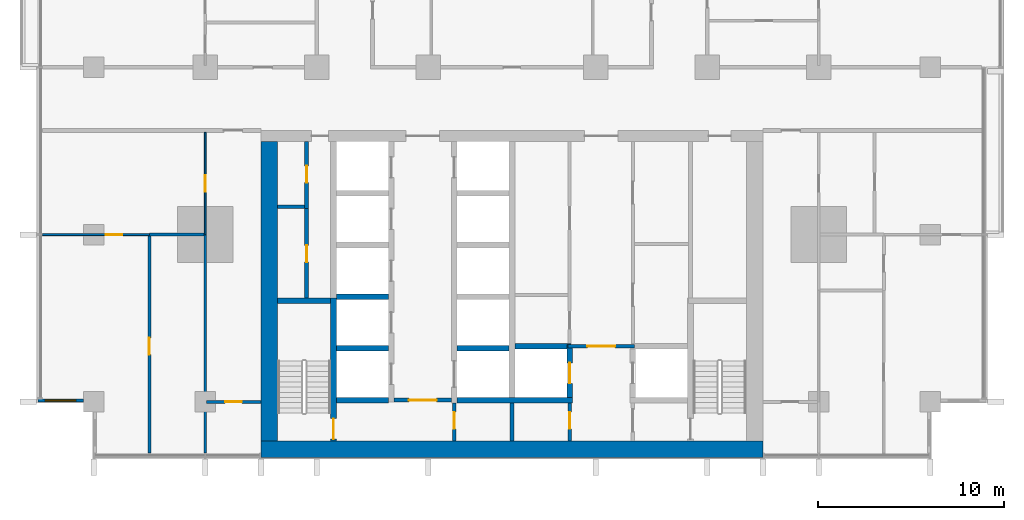
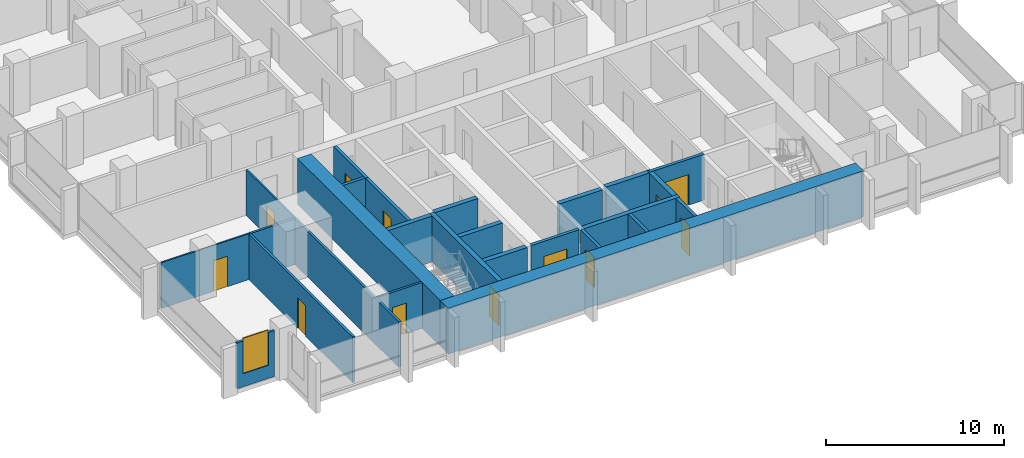
# One storey, part 7 of 18: 26 walls, 12 doors, 1 window, 13 openings.
"""IFC4 building model written with IfcOpenShell, lengths in metres."""

from ifc_helpers import new_model, si_unit, direction, frame, frame_2d, origin, place, context, subcontext, project, spatial, rectangle, extrude, material, layer, layer_set, type_object, element, fill, save


model = new_model("IFC4")

# Units and contexts
model_context = context("Model", 3, precision=1e-05, world=origin(), true_north=direction((0.0, 1.0)))
body_context = subcontext(model_context, "Body", "Model", "MODEL_VIEW")
ifc_project = project(units=[si_unit("LENGTHUNIT", "METRE"), si_unit("AREAUNIT", "SQUARE_METRE"), si_unit("VOLUMEUNIT", "CUBIC_METRE"), si_unit("PLANEANGLEUNIT", "RADIAN"), si_unit("MASSUNIT", "GRAM", prefix="KILO")], contexts=[model_context])

# Site, building, storey
site_placement = place(None, origin())
site = spatial("IfcSite", under=ifc_project, at=site_placement, CompositionType="ELEMENT")
building_placement = place(site_placement, origin())
building = spatial("IfcBuilding", under=site, at=building_placement, Name="Finial Court Residences", CompositionType="ELEMENT")
storey_placement = place(building_placement, frame((0.0, 0.0, 72.10009765625)))
storey = spatial("IfcBuildingStorey", under=building, at=storey_placement, Name="L17", CompositionType="ELEMENT", Elevation=72.10009765625)

# Walls
ifc_material_1 = material(Name="Concrete C80/95", Category="concrete")
ifc_layer_1 = layer(ifc_material_1, 0.89990234375)
ifc_layer_set_1 = layer_set([ifc_layer_1], Name="Core outer wall 900 Concrete C80/95")
wall_type_1 = type_object("IfcWallType", Name="Core outer wall 900 Concrete C80/95", PredefinedType="SHEAR", material=ifc_layer_set_1)
wall_1_placement = place(storey_placement, frame((-13.050048828125, -24.60009765625, 0.0), z_axis=(0.0, 0.0, 1.0), x_axis=(0.0, 1.0, 0.0)))
element("IfcWall", 1, at=wall_1_placement, inside=storey, type_object=wall_type_1, Name="Core outer wall L17-03", PredefinedType="SHEAR", context=body_context, shape_type="SweptSolid", body=[
    extrude(rectangle(XDim=16.10009765625, YDim=0.89990234375, at=frame_2d((8.050048828125, 0.0))), origin(), (0.0, 0.0, 1.0), 3.14990234375),
])
ifc_layer_2 = layer(ifc_material_1, 0.89990234375)
ifc_layer_set_2 = layer_set([ifc_layer_2], Name="Core south facade wall 900 Concrete C80/95")
wall_type_2 = type_object("IfcWallType", Name="Core south facade wall 900 Concrete C80/95", PredefinedType="SHEAR", material=ifc_layer_set_2)
wall_2_placement = place(storey_placement, frame((-13.5, -25.050048828125, 0.0), z_axis=(0.0, 0.0, 1.0), x_axis=(1.0, 0.0, 0.0)))
element("IfcWall", 2, at=wall_2_placement, inside=storey, type_object=wall_type_2, Name="Core outer wall L17-01", PredefinedType="SHEAR", context=body_context, shape_type="SweptSolid", body=[
    extrude(rectangle(XDim=27.0, YDim=0.89990234375, at=frame_2d((13.5, 0.0))), origin(), (0.0, 0.0, 1.0), 3.14990234375),
])

# Wall, opening, door
ifc_material_2 = material(Name="Fire-rated gypsum board partition")
ifc_layer_3 = layer(ifc_material_2, 0.199951171875)
ifc_layer_set_3 = layer_set([ifc_layer_3], Name="Firefighting lobby wall 200 EI 120")
wall_type_3 = type_object("IfcWallType", Name="Firefighting lobby wall 200 EI 120", PredefinedType="PARTITIONING", material=ifc_layer_set_3)
wall_3_placement = place(storey_placement, frame((6.574951171875, -19.5, 0.0), z_axis=(0.0, 0.0, 1.0), x_axis=(-1.0, 0.0, 0.0)))
wall_3 = element("IfcWall", 3, at=wall_3_placement, inside=storey, type_object=wall_type_3, Name="Core partition L17-08", PredefinedType="PARTITIONING", context=body_context, shape_type="SweptSolid", body=[
    extrude(rectangle(XDim=3.550048828125, YDim=0.199951171875, at=frame_2d((1.77490234375, 0.0))), origin(), (0.0, 0.0, 1.0), 3.14990234375),
])
opening_1_placement = place(wall_3_placement, frame((1.02490234375, 0.0, 0.0)))
opening_1 = element("IfcOpeningElement", 4, at=opening_1_placement, cuts=wall_3, Name="Opening L17-C02", PredefinedType="OPENING", context=body_context, shape_type="SweptSolid", body=[
    extrude(rectangle(XDim=1.5, YDim=2.10009765625, at=frame_2d((0.75, 1.050048828125))), frame((0.0, 0.10986328125, 0.0), z_axis=(0.0, -1.0, 0.0), x_axis=(1.0, 0.0, 0.0)), (0.0, 0.0, 1.0), 0.219970703125),
])
ifc_material_3 = material(Name="Steel fire door", Category="steel")
door_type_1 = type_object("IfcDoorType", Name="Firefighting lobby door 1500 x 2100 EI 90", OperationType="DOUBLE_DOOR_SINGLE_SWING", PredefinedType="DOOR", material=ifc_material_3)
door_1_placement = place(opening_1_placement, origin())
door_1 = element("IfcDoor", 5, at=door_1_placement, inside=storey, type_object=door_type_1, Name="Firefighting lobby door L17-C02", OperationType="DOUBLE_DOOR_SINGLE_SWING", OverallHeight=2.10009765625, OverallWidth=1.5, PredefinedType="DOOR", context=body_context, shape_type="SweptSolid", body=[
    extrude(rectangle(XDim=1.5, YDim=2.10009765625, at=frame_2d((0.75, 1.050048828125))), frame((0.0, 0.02490234375, 0.0), z_axis=(0.0, -1.0, 0.0), x_axis=(1.0, 0.0, 0.0)), (0.0, 0.0, 1.0), 0.050048828125),
])
fill(opening_1, door_1)

wall_4_placement = place(storey_placement, frame((3.10009765625, -24.60009765625, 0.0), z_axis=(0.0, 0.0, 1.0), x_axis=(0.0, 1.0, 0.0)))
wall_4 = element("IfcWall", 6, at=wall_4_placement, inside=storey, type_object=wall_type_3, Name="Core partition L17-30", PredefinedType="PARTITIONING", context=body_context, shape_type="SweptSolid", body=[
    extrude(rectangle(XDim=2.050048828125, YDim=0.199951171875, at=frame_2d((1.02490234375, 0.0))), origin(), (0.0, 0.0, 1.0), 3.14990234375),
])
opening_2_placement = place(wall_4_placement, frame((0.64990234375, 0.0, 0.0)))
opening_2 = element("IfcOpeningElement", 7, at=opening_2_placement, cuts=wall_4, Name="Opening L17-C06", PredefinedType="OPENING", context=body_context, shape_type="SweptSolid", body=[
    extrude(rectangle(XDim=0.89990234375, YDim=2.10009765625, at=frame_2d((0.449951171875, 1.050048828125))), frame((0.0, 0.10986328125, 0.0), z_axis=(0.0, -1.0, 0.0), x_axis=(1.0, 0.0, 0.0)), (0.0, 0.0, 1.0), 0.219970703125),
])
door_type_2 = type_object("IfcDoorType", Name="Riser room door 900 x 2100 EI 90", OperationType="NOTDEFINED", PredefinedType="DOOR", material=ifc_material_3)
door_2_placement = place(opening_2_placement, origin())
door_2 = element("IfcDoor", 8, at=door_2_placement, inside=storey, type_object=door_type_2, Name="Riser room door L17-C06", OperationType="SINGLE_SWING_LEFT", OverallHeight=2.10009765625, OverallWidth=0.89990234375, PredefinedType="DOOR", context=body_context, shape_type="SweptSolid", body=[
    extrude(rectangle(XDim=0.89990234375, YDim=2.10009765625, at=frame_2d((0.449951171875, 1.050048828125))), frame((0.0, 0.02490234375, 0.0), z_axis=(0.0, -1.0, 0.0), x_axis=(1.0, 0.0, 0.0)), (0.0, 0.0, 1.0), 0.050048828125),
])
fill(opening_2, door_2)

ifc_material_4 = material(Name="Gypsum board")
ifc_layer_4 = layer(ifc_material_4, 0.012451171875)
ifc_material_5 = material(Name="Mineral wool in light-gauge frame")
ifc_layer_5 = layer(ifc_material_5, 0.074951171875)
ifc_layer_6 = layer(ifc_material_4, 0.012451171875)
ifc_layer_set_4 = layer_set([ifc_layer_4, ifc_layer_5, ifc_layer_6], Name="Gypsum board partition 100")
wall_type_4 = type_object("IfcWallType", Name="Gypsum board partition 100", PredefinedType="PARTITIONING", material=ifc_layer_set_4)
wall_5_placement = place(storey_placement, frame((-25.25, -13.5, 0.0), z_axis=(0.0, 0.0, 1.0), x_axis=(1.0, 0.0, 0.0)))
wall_5 = element("IfcWall", 9, at=wall_5_placement, inside=storey, type_object=wall_type_4, Name="Partition L17-003", PredefinedType="PARTITIONING", context=body_context, shape_type="SweptSolid", body=[
    extrude(rectangle(XDim=5.75, YDim=0.10009765625, at=frame_2d((2.875, 0.0))), origin(), (0.0, 0.0, 1.0), 3.14990234375),
])
opening_3_placement = place(wall_5_placement, frame((3.39990234375, 0.0, 0.0)))
opening_3 = element("IfcOpeningElement", 10, at=opening_3_placement, cuts=wall_5, Name="Opening L17-D003", PredefinedType="OPENING", context=body_context, shape_type="SweptSolid", body=[
    extrude(rectangle(XDim=0.89990234375, YDim=2.10009765625, at=frame_2d((0.449951171875, 1.050048828125))), frame((0.0, 0.06005859375, 0.0), z_axis=(0.0, -1.0, 0.0), x_axis=(1.0, 0.0, 0.0)), (0.0, 0.0, 1.0), 0.1201171875),
])
ifc_material_6 = material(Name="Timber door leaf in timber frame", Category="wood")
door_type_3 = type_object("IfcDoorType", Name="Door set 900 x 2100", OperationType="SINGLE_SWING_LEFT", PredefinedType="DOOR", material=ifc_material_6)
door_3_placement = place(opening_3_placement, origin())
door_3 = element("IfcDoor", 11, at=door_3_placement, inside=storey, type_object=door_type_3, Name="Door L17-D003", OperationType="SINGLE_SWING_RIGHT", OverallHeight=2.10009765625, OverallWidth=0.89990234375, PredefinedType="DOOR", context=body_context, shape_type="SweptSolid", body=[
    extrude(rectangle(XDim=0.89990234375, YDim=2.10009765625, at=frame_2d((0.449951171875, 1.050048828125))), frame((0.0, 0.02490234375, 0.0), z_axis=(0.0, -1.0, 0.0), x_axis=(1.0, 0.0, 0.0)), (0.0, 0.0, 1.0), 0.050048828125),
])
fill(opening_3, door_3)

wall_6_placement = place(storey_placement, frame((-16.5, -13.5, 0.0), z_axis=(0.0, 0.0, 1.0), x_axis=(0.0, 1.0, 0.0)))
wall_6 = element("IfcWall", 12, at=wall_6_placement, inside=storey, type_object=wall_type_4, Name="Partition L17-057", PredefinedType="PARTITIONING", context=body_context, shape_type="SweptSolid", body=[
    extrude(rectangle(XDim=5.5, YDim=0.10009765625, at=frame_2d((2.75, 0.0))), origin(), (0.0, 0.0, 1.0), 3.14990234375),
])
opening_4_placement = place(wall_6_placement, frame((2.300048828125, 0.0, 0.0)))
opening_4 = element("IfcOpeningElement", 13, at=opening_4_placement, cuts=wall_6, Name="Opening L17-D034", PredefinedType="OPENING", context=body_context, shape_type="SweptSolid", body=[
    extrude(rectangle(XDim=0.89990234375, YDim=2.10009765625, at=frame_2d((0.449951171875, 1.050048828125))), frame((0.0, 0.06005859375, 0.0), z_axis=(0.0, -1.0, 0.0), x_axis=(1.0, 0.0, 0.0)), (0.0, 0.0, 1.0), 0.1201171875),
])
door_4_placement = place(opening_4_placement, origin())
door_4 = element("IfcDoor", 14, at=door_4_placement, inside=storey, type_object=door_type_3, Name="Door L17-D034", OperationType="SINGLE_SWING_RIGHT", OverallHeight=2.10009765625, OverallWidth=0.89990234375, PredefinedType="DOOR", context=body_context, shape_type="SweptSolid", body=[
    extrude(rectangle(XDim=0.89990234375, YDim=2.10009765625, at=frame_2d((0.449951171875, 1.050048828125))), frame((0.0, 0.02490234375, 0.0), z_axis=(0.0, -1.0, 0.0), x_axis=(1.0, 0.0, 0.0)), (0.0, 0.0, 1.0), 0.050048828125),
])
fill(opening_4, door_4)

ifc_material_7 = material(Name="Moisture-resistant gypsum board")
ifc_layer_7 = layer(ifc_material_7, 0.012451171875)
ifc_layer_8 = layer(ifc_material_5, 0.125)
ifc_layer_9 = layer(ifc_material_7, 0.012451171875)
ifc_layer_set_5 = layer_set([ifc_layer_7, ifc_layer_8, ifc_layer_9], Name="Gypsum board wet-area partition 150")
wall_type_5 = type_object("IfcWallType", Name="Gypsum board wet-area partition 150", PredefinedType="PARTITIONING", material=ifc_layer_set_5)
wall_7_placement = place(storey_placement, frame((-16.425048828125, -22.5, 0.0), z_axis=(0.0, 0.0, 1.0), x_axis=(1.0, 0.0, 0.0)))
wall_7 = element("IfcWall", 15, at=wall_7_placement, inside=storey, type_object=wall_type_5, Name="Partition L17-000", PredefinedType="PARTITIONING", context=body_context, shape_type="SweptSolid", body=[
    extrude(rectangle(XDim=2.925048828125, YDim=0.14990234375, at=frame_2d((1.46240234375, 0.0))), origin(), (0.0, 0.0, 1.0), 3.14990234375),
])
opening_5_placement = place(wall_7_placement, frame((1.0, 0.0, 0.0)))
opening_5 = element("IfcOpeningElement", 16, at=opening_5_placement, cuts=wall_7, Name="Opening L17-D001", PredefinedType="OPENING", context=body_context, shape_type="SweptSolid", body=[
    extrude(rectangle(XDim=0.89990234375, YDim=2.10009765625, at=frame_2d((0.449951171875, 1.050048828125))), frame((0.0, 0.0849609375, 0.0), z_axis=(0.0, -1.0, 0.0), x_axis=(1.0, 0.0, 0.0)), (0.0, 0.0, 1.0), 0.169921875),
])
door_5_placement = place(opening_5_placement, origin())
door_5 = element("IfcDoor", 17, at=door_5_placement, inside=storey, type_object=door_type_3, Name="Door L17-D001", OperationType="SINGLE_SWING_RIGHT", OverallHeight=2.10009765625, OverallWidth=0.89990234375, PredefinedType="DOOR", context=body_context, shape_type="SweptSolid", body=[
    extrude(rectangle(XDim=0.89990234375, YDim=2.10009765625, at=frame_2d((0.449951171875, 1.050048828125))), frame((0.0, 0.02490234375, 0.0), z_axis=(0.0, -1.0, 0.0), x_axis=(1.0, 0.0, 0.0)), (0.0, 0.0, 1.0), 0.050048828125),
])
fill(opening_5, door_5)

# Wall
wall_8_placement = place(storey_placement, frame((-19.5, -13.5, 0.0), z_axis=(0.0, 0.0, 1.0), x_axis=(1.0, 0.0, 0.0)))
element("IfcWall", 18, at=wall_8_placement, inside=storey, type_object=wall_type_5, Name="Partition L17-005", PredefinedType="PARTITIONING", context=body_context, shape_type="SweptSolid", body=[
    extrude(rectangle(XDim=2.925048828125, YDim=0.14990234375, at=frame_2d((1.46240234375, 0.0))), origin(), (0.0, 0.0, 1.0), 3.14990234375),
])

# Wall, opening, door
wall_9_placement = place(storey_placement, frame((-19.5, -25.25, 0.0), z_axis=(0.0, 0.0, 1.0), x_axis=(0.0, 1.0, 0.0)))
wall_9 = element("IfcWall", 19, at=wall_9_placement, inside=storey, type_object=wall_type_5, Name="Partition L17-055", PredefinedType="PARTITIONING", context=body_context, shape_type="SweptSolid", body=[
    extrude(rectangle(XDim=11.675048828125, YDim=0.14990234375, at=frame_2d((5.83740234375, 0.0))), origin(), (0.0, 0.0, 1.0), 3.14990234375),
])
opening_6_placement = place(wall_9_placement, frame((5.300048828125, 0.0, 0.0)))
opening_6 = element("IfcOpeningElement", 20, at=opening_6_placement, cuts=wall_9, Name="Opening L17-D032", PredefinedType="OPENING", context=body_context, shape_type="SweptSolid", body=[
    extrude(rectangle(XDim=0.89990234375, YDim=2.10009765625, at=frame_2d((0.449951171875, 1.050048828125))), frame((0.0, 0.0849609375, 0.0), z_axis=(0.0, -1.0, 0.0), x_axis=(1.0, 0.0, 0.0)), (0.0, 0.0, 1.0), 0.169921875),
])
door_6_placement = place(opening_6_placement, origin())
door_6 = element("IfcDoor", 21, at=door_6_placement, inside=storey, type_object=door_type_3, Name="Door L17-D032", OperationType="SINGLE_SWING_LEFT", OverallHeight=2.10009765625, OverallWidth=0.89990234375, PredefinedType="DOOR", context=body_context, shape_type="SweptSolid", body=[
    extrude(rectangle(XDim=0.89990234375, YDim=2.10009765625, at=frame_2d((0.449951171875, 1.050048828125))), frame((0.0, 0.02490234375, 0.0), z_axis=(0.0, -1.0, 0.0), x_axis=(1.0, 0.0, 0.0)), (0.0, 0.0, 1.0), 0.050048828125),
])
fill(opening_6, door_6)

# Walls
wall_10_placement = place(storey_placement, frame((-16.5, -25.25, 0.0), z_axis=(0.0, 0.0, 1.0), x_axis=(0.0, 1.0, 0.0)))
element("IfcWall", 22, at=wall_10_placement, inside=storey, type_object=wall_type_5, Name="Partition L17-063", PredefinedType="PARTITIONING", context=body_context, shape_type="SweptSolid", body=[
    extrude(rectangle(XDim=11.75, YDim=0.14990234375, at=frame_2d((5.875, 0.0))), origin(), (0.0, 0.0, 1.0), 3.14990234375),
])
ifc_layer_10 = layer(ifc_material_1, 0.300048828125)
ifc_layer_set_6 = layer_set([ifc_layer_10], Name="Lift shaft and stair wall 300 Concrete C80/95")
wall_type_6 = type_object("IfcWallType", Name="Lift shaft and stair wall 300 Concrete C80/95", PredefinedType="SHEAR", material=ifc_layer_set_6)
wall_11_placement = place(storey_placement, frame((-9.449951171875, -22.39990234375, 0.0), z_axis=(0.0, 0.0, 1.0), x_axis=(1.0, 0.0, 0.0)))
element("IfcWall", 23, at=wall_11_placement, inside=storey, type_object=wall_type_6, Name="Core wall L17-01", PredefinedType="SHEAR", context=body_context, shape_type="SweptSolid", body=[
    extrude(rectangle(XDim=2.800048828125, YDim=0.300048828125, at=frame_2d((1.39990234375, 0.0))), origin(), (0.0, 0.0, 1.0), 3.14990234375),
])
wall_12_placement = place(storey_placement, frame((-2.949951171875, -22.39990234375, 0.0), z_axis=(0.0, 0.0, 1.0), x_axis=(1.0, 0.0, 0.0)))
element("IfcWall", 24, at=wall_12_placement, inside=storey, type_object=wall_type_6, Name="Core wall L17-03", PredefinedType="SHEAR", context=body_context, shape_type="SweptSolid", body=[
    extrude(rectangle(XDim=6.199951171875, YDim=0.300048828125, at=frame_2d((3.10009765625, 0.0))), origin(), (0.0, 0.0, 1.0), 3.14990234375),
])
for number, where, z_axis, x_axis, name in (
    (25, (-9.449951171875, -19.6201171875, 0.0), (0.0, 0.0, 1.0), (1.0, 0.0, 0.0), "Core wall L17-05"),
    (26, (-2.949951171875, -19.6201171875, 0.0), (0.0, 0.0, 1.0), (1.0, 0.0, 0.0), "Core wall L17-06"),
):
    element("IfcWall", number, at=place(storey_placement, frame(where, z_axis=z_axis, x_axis=x_axis)), inside=storey, type_object=wall_type_6, Name=name, PredefinedType="SHEAR", context=body_context, shape_type="SweptSolid", body=[
        extrude(rectangle(XDim=2.800048828125, YDim=0.300048828125, at=frame_2d((1.39990234375, 0.0))), origin(), (0.0, 0.0, 1.0), 3.14990234375),
    ])
wall_13_placement = place(storey_placement, frame((0.14990234375, -19.5, 0.0), z_axis=(0.0, 0.0, 1.0), x_axis=(1.0, 0.0, 0.0)))
element("IfcWall", 27, at=wall_13_placement, inside=storey, type_object=wall_type_6, Name="Core wall L17-07", PredefinedType="SHEAR", context=body_context, shape_type="SweptSolid", body=[
    extrude(rectangle(XDim=3.025146484375, YDim=0.300048828125, at=frame_2d((1.5126953125, 0.0))), origin(), (0.0, 0.0, 1.0), 3.14990234375),
])
wall_14_placement = place(storey_placement, frame((-12.60009765625, -17.050048828125, 0.0), z_axis=(0.0, 0.0, 1.0), x_axis=(1.0, 0.0, 0.0)))
element("IfcWall", 28, at=wall_14_placement, inside=storey, type_object=wall_type_6, Name="Core wall L17-10", PredefinedType="SHEAR", context=body_context, shape_type="SweptSolid", body=[
    extrude(rectangle(XDim=2.85009765625, YDim=0.300048828125, at=frame_2d((1.425048828125, 0.0))), origin(), (0.0, 0.0, 1.0), 3.14990234375),
])
wall_15_placement = place(storey_placement, frame((-9.449951171875, -16.840087890625, 0.0), z_axis=(0.0, 0.0, 1.0), x_axis=(1.0, 0.0, 0.0)))
element("IfcWall", 29, at=wall_15_placement, inside=storey, type_object=wall_type_6, Name="Core wall L17-12", PredefinedType="SHEAR", context=body_context, shape_type="SweptSolid", body=[
    extrude(rectangle(XDim=2.800048828125, YDim=0.300048828125, at=frame_2d((1.39990234375, 0.0))), origin(), (0.0, 0.0, 1.0), 3.14990234375),
])

# Wall, opening, door
wall_16_placement = place(storey_placement, frame((-9.60009765625, -24.60009765625, 0.0), z_axis=(0.0, 0.0, 1.0), x_axis=(0.0, 1.0, 0.0)))
wall_16 = element("IfcWall", 30, at=wall_16_placement, inside=storey, type_object=wall_type_6, Name="Core wall L17-23", PredefinedType="SHEAR", context=body_context, shape_type="SweptSolid", body=[
    extrude(rectangle(XDim=7.7001953125, YDim=0.300048828125, at=frame_2d((3.85009765625, 0.0))), origin(), (0.0, 0.0, 1.0), 3.14990234375),
])
opening_7_placement = place(wall_16_placement, frame((0.10009765625, 0.0, 0.0)))
opening_7 = element("IfcOpeningElement", 31, at=opening_7_placement, cuts=wall_16, Name="Opening L17-C16", PredefinedType="OPENING", context=body_context, shape_type="SweptSolid", body=[
    extrude(rectangle(XDim=1.10009765625, YDim=2.10009765625, at=frame_2d((0.550048828125, 1.050048828125))), frame((0.0, 0.159912109375, 0.0), z_axis=(0.0, -1.0, 0.0), x_axis=(1.0, 0.0, 0.0)), (0.0, 0.0, 1.0), 0.320068359375),
])
door_type_4 = type_object("IfcDoorType", Name="Stair door 1100 x 2100 EI 90", OperationType="NOTDEFINED", PredefinedType="DOOR", material=ifc_material_3)
door_7_placement = place(opening_7_placement, origin())
door_7 = element("IfcDoor", 32, at=door_7_placement, inside=storey, type_object=door_type_4, Name="Stair door L17-C16", OperationType="SINGLE_SWING_LEFT", OverallHeight=2.10009765625, OverallWidth=1.10009765625, PredefinedType="DOOR", context=body_context, shape_type="SweptSolid", body=[
    extrude(rectangle(XDim=1.10009765625, YDim=2.10009765625, at=frame_2d((0.550048828125, 1.050048828125))), frame((0.0, 0.02490234375, 0.0), z_axis=(0.0, -1.0, 0.0), x_axis=(1.0, 0.0, 0.0)), (0.0, 0.0, 1.0), 0.050048828125),
])
fill(opening_7, door_7)

wall_17_placement = place(storey_placement, frame((3.10009765625, -22.25, 0.0), z_axis=(0.0, 0.0, 1.0), x_axis=(0.0, 1.0, 0.0)))
wall_17 = element("IfcWall", 33, at=wall_17_placement, inside=storey, type_object=wall_type_6, Name="Core wall L17-31", PredefinedType="SHEAR", context=body_context, shape_type="SweptSolid", body=[
    extrude(rectangle(XDim=2.85009765625, YDim=0.300048828125, at=frame_2d((1.425048828125, 0.0))), origin(), (0.0, 0.0, 1.0), 3.14990234375),
])
opening_8_placement = place(wall_17_placement, frame((0.75, 0.0, 0.0)))
opening_8 = element("IfcOpeningElement", 34, at=opening_8_placement, cuts=wall_17, Name="Opening L17-LD01", PredefinedType="OPENING", context=body_context, shape_type="SweptSolid", body=[
    extrude(rectangle(XDim=1.10009765625, YDim=2.10009765625, at=frame_2d((0.550048828125, 1.050048828125))), frame((0.0, 0.159912109375, 0.0), z_axis=(0.0, -1.0, 0.0), x_axis=(1.0, 0.0, 0.0)), (0.0, 0.0, 1.0), 0.320068359375),
])
ifc_material_8 = material(Name="Stainless steel lift door", Category="steel")
door_type_5 = type_object("IfcDoorType", Name="Lift landing door 1100 x 2100 EI 90", OperationType="DOUBLE_DOOR_SLIDING", PredefinedType="DOOR", material=ifc_material_8)
door_8_placement = place(opening_8_placement, origin())
door_8 = element("IfcDoor", 35, at=door_8_placement, inside=storey, type_object=door_type_5, Name="Lift landing door FF1 L17", OperationType="DOUBLE_DOOR_SLIDING", OverallHeight=2.10009765625, OverallWidth=1.10009765625, PredefinedType="DOOR", context=body_context, shape_type="SweptSolid", body=[
    extrude(rectangle(XDim=1.10009765625, YDim=2.10009765625, at=frame_2d((0.550048828125, 1.050048828125))), frame((0.0, 0.02490234375, 0.0), z_axis=(0.0, -1.0, 0.0), x_axis=(1.0, 0.0, 0.0)), (0.0, 0.0, 1.0), 0.050048828125),
])
fill(opening_8, door_8)

# Wall, opening, window
ifc_material_9 = material(Name="Natural limestone", Category="masonry")
ifc_layer_11 = layer(ifc_material_9, 0.14990234375)
ifc_layer_set_7 = layer_set([ifc_layer_11], Name="Limestone clad wall 150")
wall_type_7 = type_object("IfcWallType", Name="Limestone clad wall 150", PredefinedType="SOLIDWALL", material=ifc_layer_set_7)
wall_18_placement = place(storey_placement, frame((-23.050048828125, -22.425048828125, 0.0), z_axis=(0.0, 0.0, 1.0), x_axis=(-1.0, 0.0, 0.0)))
wall_18 = element("IfcWall", 36, at=wall_18_placement, inside=storey, type_object=wall_type_7, Name="E-L17-NWS13", PredefinedType="SOLIDWALL", context=body_context, shape_type="SweptSolid", body=[
    extrude(rectangle(XDim=2.449951171875, YDim=0.14990234375, at=frame_2d((1.22509765625, 0.0))), origin(), (0.0, 0.0, 1.0), 3.14990234375),
])
opening_9_placement = place(wall_18_placement, frame((0.39990234375, 0.0, 0.89990234375)))
opening_9 = element("IfcOpeningElement", 37, at=opening_9_placement, cuts=wall_18, Name="Opening WE17-02", PredefinedType="OPENING", context=body_context, shape_type="SweptSolid", body=[
    extrude(rectangle(XDim=1.64990234375, YDim=2.39990234375, at=frame_2d((0.824951171875, 1.199951171875))), frame((0.0, 0.0849609375, 0.0), z_axis=(0.0, -1.0, 0.0), x_axis=(1.0, 0.0, 0.0)), (0.0, 0.0, 1.0), 0.169921875),
])
ifc_material_10 = material(Name="Clear low-e glass", Category="glass")
window_type = type_object("IfcWindowType", Name="Corner window 1650 x 2400", PartitioningType="SINGLE_PANEL", PredefinedType="WINDOW", material=ifc_material_10)
window_placement = place(opening_9_placement, origin())
window = element("IfcWindow", 38, at=window_placement, inside=storey, type_object=window_type, Name="E-L17-NWS13-W1", OverallHeight=2.39990234375, OverallWidth=1.64990234375, PartitioningType="SINGLE_PANEL", PredefinedType="WINDOW", context=body_context, shape_type="SweptSolid", body=[
    extrude(rectangle(XDim=1.64990234375, YDim=2.39990234375, at=frame_2d((0.824951171875, 1.199951171875))), frame((0.0, 0.030029296875, 0.0), z_axis=(0.0, -1.0, 0.0), x_axis=(1.0, 0.0, 0.0)), (0.0, 0.0, 1.0), 0.06005859375),
])
fill(opening_9, window)

# Wall
ifc_layer_12 = layer(ifc_material_2, 0.199951171875)
ifc_layer_set_8 = layer_set([ifc_layer_12], Name="Riser room wall 200 EI 120")
wall_type_8 = type_object("IfcWallType", Name="Riser room wall 200 EI 120", PredefinedType="PARTITIONING", material=ifc_layer_set_8)
wall_19_placement = place(storey_placement, frame((-12.60009765625, -12.0, 0.0), z_axis=(0.0, 0.0, 1.0), x_axis=(1.0, 0.0, 0.0)))
element("IfcWall", 39, at=wall_19_placement, inside=storey, type_object=wall_type_8, Name="Core partition L17-18", PredefinedType="PARTITIONING", context=body_context, shape_type="SweptSolid", body=[
    extrude(rectangle(XDim=1.4501953125, YDim=0.199951171875, at=frame_2d((0.72509765625, 0.0))), origin(), (0.0, 0.0, 1.0), 3.14990234375),
])

# Wall, opening, door
wall_20_placement = place(storey_placement, frame((-11.050048828125, -12.10009765625, 0.0), z_axis=(0.0, 0.0, 1.0), x_axis=(0.0, 1.0, 0.0)))
wall_20 = element("IfcWall", 40, at=wall_20_placement, inside=storey, type_object=wall_type_8, Name="Core partition L17-22", PredefinedType="PARTITIONING", context=body_context, shape_type="SweptSolid", body=[
    extrude(rectangle(XDim=3.60009765625, YDim=0.199951171875, at=frame_2d((1.800048828125, 0.0))), origin(), (0.0, 0.0, 1.0), 3.14990234375),
])
opening_10_placement = place(wall_20_placement, frame((1.39990234375, 0.0, 0.0)))
opening_10 = element("IfcOpeningElement", 41, at=opening_10_placement, cuts=wall_20, Name="Opening L17-C07", PredefinedType="OPENING", context=body_context, shape_type="SweptSolid", body=[
    extrude(rectangle(XDim=0.89990234375, YDim=2.10009765625, at=frame_2d((0.449951171875, 1.050048828125))), frame((0.0, 0.10986328125, 0.0), z_axis=(0.0, -1.0, 0.0), x_axis=(1.0, 0.0, 0.0)), (0.0, 0.0, 1.0), 0.219970703125),
])
door_9_placement = place(opening_10_placement, origin())
door_9 = element("IfcDoor", 42, at=door_9_placement, inside=storey, type_object=door_type_2, Name="Riser room door L17-C07", OperationType="SINGLE_SWING_LEFT", OverallHeight=2.10009765625, OverallWidth=0.89990234375, PredefinedType="DOOR", context=body_context, shape_type="SweptSolid", body=[
    extrude(rectangle(XDim=0.89990234375, YDim=2.10009765625, at=frame_2d((0.449951171875, 1.050048828125))), frame((0.0, 0.02490234375, 0.0), z_axis=(0.0, -1.0, 0.0), x_axis=(1.0, 0.0, 0.0)), (0.0, 0.0, 1.0), 0.050048828125),
])
fill(opening_10, door_9)

# Wall
wall_21_placement = place(storey_placement, frame((0.0, -24.60009765625, 0.0), z_axis=(0.0, 0.0, 1.0), x_axis=(0.0, 1.0, 0.0)))
element("IfcWall", 43, at=wall_21_placement, inside=storey, type_object=wall_type_8, Name="Core partition L17-28", PredefinedType="PARTITIONING", context=body_context, shape_type="SweptSolid", body=[
    extrude(rectangle(XDim=2.050048828125, YDim=0.199951171875, at=frame_2d((1.02490234375, 0.0))), origin(), (0.0, 0.0, 1.0), 3.14990234375),
])

# Wall, opening, door
ifc_layer_13 = layer(ifc_material_2, 0.199951171875)
ifc_layer_set_9 = layer_set([ifc_layer_13], Name="Stair passage wall 200 EI 180")
wall_type_9 = type_object("IfcWallType", Name="Stair passage wall 200 EI 180", PredefinedType="PARTITIONING", material=ifc_layer_set_9)
wall_22_placement = place(storey_placement, frame((-3.25, -22.39990234375, 0.0), z_axis=(0.0, 0.0, 1.0), x_axis=(-1.0, 0.0, 0.0)))
wall_22 = element("IfcWall", 44, at=wall_22_placement, inside=storey, type_object=wall_type_9, Name="Core partition L17-02", PredefinedType="PARTITIONING", context=body_context, shape_type="SweptSolid", body=[
    extrude(rectangle(XDim=3.10009765625, YDim=0.199951171875, at=frame_2d((1.550048828125, 0.0))), origin(), (0.0, 0.0, 1.0), 3.14990234375),
])
opening_11_placement = place(wall_22_placement, frame((0.800048828125, 0.0, 0.0)))
opening_11 = element("IfcOpeningElement", 45, at=opening_11_placement, cuts=wall_22, Name="Opening L17-C03", PredefinedType="OPENING", context=body_context, shape_type="SweptSolid", body=[
    extrude(rectangle(XDim=1.5, YDim=2.10009765625, at=frame_2d((0.75, 1.050048828125))), frame((0.0, 0.10986328125, 0.0), z_axis=(0.0, -1.0, 0.0), x_axis=(1.0, 0.0, 0.0)), (0.0, 0.0, 1.0), 0.219970703125),
])
door_type_6 = type_object("IfcDoorType", Name="Lift lobby door 1500 x 2100 EI 60", OperationType="DOUBLE_DOOR_SINGLE_SWING", PredefinedType="DOOR", material=ifc_material_3)
door_10_placement = place(opening_11_placement, origin())
door_10 = element("IfcDoor", 46, at=door_10_placement, inside=storey, type_object=door_type_6, Name="Lift lobby door L17-C03", OperationType="DOUBLE_DOOR_SINGLE_SWING", OverallHeight=2.10009765625, OverallWidth=1.5, PredefinedType="DOOR", context=body_context, shape_type="SweptSolid", body=[
    extrude(rectangle(XDim=1.5, YDim=2.10009765625, at=frame_2d((0.75, 1.050048828125))), frame((0.0, 0.02490234375, 0.0), z_axis=(0.0, -1.0, 0.0), x_axis=(1.0, 0.0, 0.0)), (0.0, 0.0, 1.0), 0.050048828125),
])
fill(opening_11, door_10)

wall_23_placement = place(storey_placement, frame((-11.050048828125, -16.89990234375, 0.0), z_axis=(0.0, 0.0, 1.0), x_axis=(0.0, 1.0, 0.0)))
wall_23 = element("IfcWall", 47, at=wall_23_placement, inside=storey, type_object=wall_type_9, Name="Core partition L17-21", PredefinedType="PARTITIONING", context=body_context, shape_type="SweptSolid", body=[
    extrude(rectangle(XDim=5.0, YDim=0.199951171875, at=frame_2d((2.5, 0.0))), origin(), (0.0, 0.0, 1.0), 3.14990234375),
])
opening_12_placement = place(wall_23_placement, frame((1.925048828125, 0.0, 0.0)))
opening_12 = element("IfcOpeningElement", 48, at=opening_12_placement, cuts=wall_23, Name="Opening L17-C11", PredefinedType="OPENING", context=body_context, shape_type="SweptSolid", body=[
    extrude(rectangle(XDim=0.89990234375, YDim=2.10009765625, at=frame_2d((0.449951171875, 1.050048828125))), frame((0.0, 0.10986328125, 0.0), z_axis=(0.0, -1.0, 0.0), x_axis=(1.0, 0.0, 0.0)), (0.0, 0.0, 1.0), 0.219970703125),
])
door_type_7 = type_object("IfcDoorType", Name="Core room door 900 x 2100 EI 60", OperationType="NOTDEFINED", PredefinedType="DOOR", material=ifc_material_3)
door_11_placement = place(opening_12_placement, origin())
door_11 = element("IfcDoor", 49, at=door_11_placement, inside=storey, type_object=door_type_7, Name="Core room door L17-C11", OperationType="SINGLE_SWING_LEFT", OverallHeight=2.10009765625, OverallWidth=0.89990234375, PredefinedType="DOOR", context=body_context, shape_type="SweptSolid", body=[
    extrude(rectangle(XDim=0.89990234375, YDim=2.10009765625, at=frame_2d((0.449951171875, 1.050048828125))), frame((0.0, 0.02490234375, 0.0), z_axis=(0.0, -1.0, 0.0), x_axis=(1.0, 0.0, 0.0)), (0.0, 0.0, 1.0), 0.050048828125),
])
fill(opening_12, door_11)

wall_24_placement = place(storey_placement, frame((-3.10009765625, -22.550048828125, 0.0), z_axis=(0.0, 0.0, 1.0), x_axis=(0.0, -1.0, 0.0)))
wall_24 = element("IfcWall", 50, at=wall_24_placement, inside=storey, type_object=wall_type_9, Name="Core partition L17-26", PredefinedType="PARTITIONING", context=body_context, shape_type="SweptSolid", body=[
    extrude(rectangle(XDim=2.050048828125, YDim=0.199951171875, at=frame_2d((1.02490234375, 0.0))), origin(), (0.0, 0.0, 1.0), 3.14990234375),
])
opening_13_placement = place(wall_24_placement, frame((0.5, 0.0, 0.0)))
opening_13 = element("IfcOpeningElement", 51, at=opening_13_placement, cuts=wall_24, Name="Opening L17-C10", PredefinedType="OPENING", context=body_context, shape_type="SweptSolid", body=[
    extrude(rectangle(XDim=0.89990234375, YDim=2.10009765625, at=frame_2d((0.449951171875, 1.050048828125))), frame((0.0, 0.10986328125, 0.0), z_axis=(0.0, -1.0, 0.0), x_axis=(1.0, 0.0, 0.0)), (0.0, 0.0, 1.0), 0.219970703125),
])
door_12_placement = place(opening_13_placement, origin())
door_12 = element("IfcDoor", 52, at=door_12_placement, inside=storey, type_object=door_type_7, Name="Core room door L17-C10", OperationType="SINGLE_SWING_RIGHT", OverallHeight=2.10009765625, OverallWidth=0.89990234375, PredefinedType="DOOR", context=body_context, shape_type="SweptSolid", body=[
    extrude(rectangle(XDim=0.89990234375, YDim=2.10009765625, at=frame_2d((0.449951171875, 1.050048828125))), frame((0.0, 0.02490234375, 0.0), z_axis=(0.0, -1.0, 0.0), x_axis=(1.0, 0.0, 0.0)), (0.0, 0.0, 1.0), 0.050048828125),
])
fill(opening_13, door_12)

save(model, "model.ifc")
